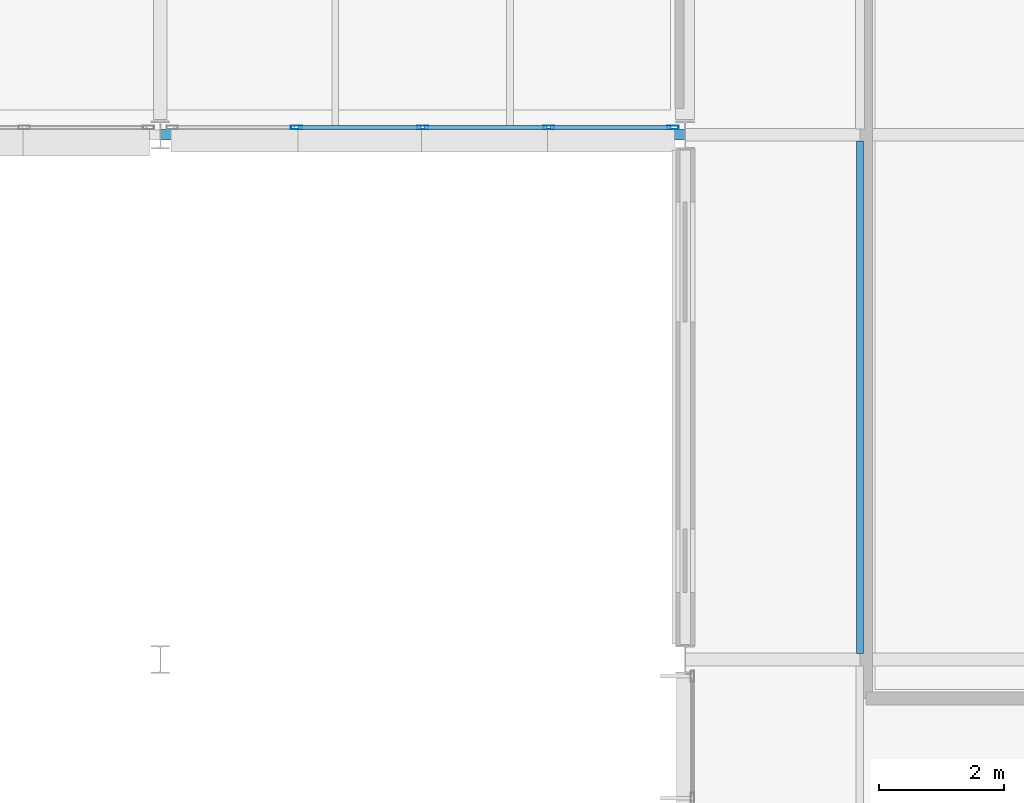
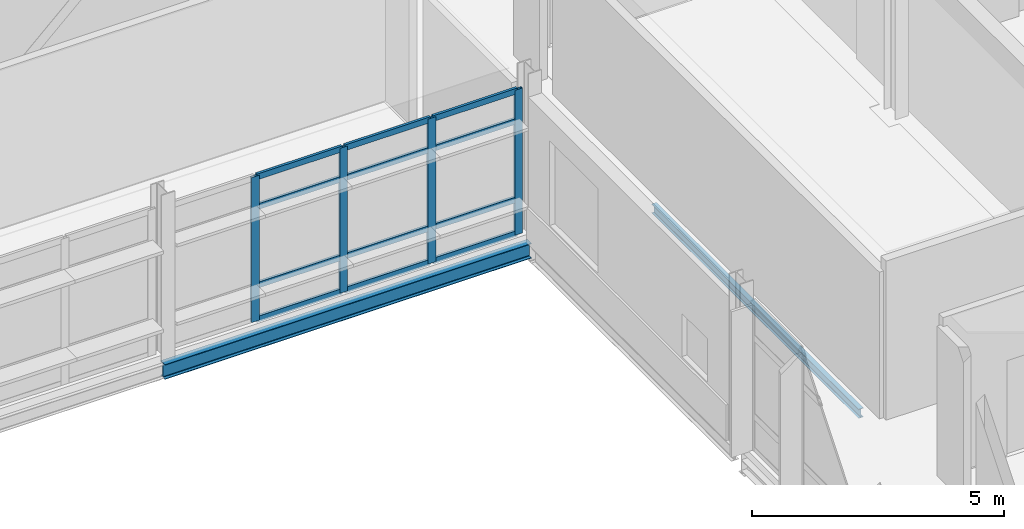
# One storey, part 70 of 103: 16 members, 2 beams, 1 element without a shape of its own.
"""IFC4 building model written with IfcOpenShell, lengths in metres."""

from ifc_helpers import new_model, si_unit, direction, frame, origin, origin_2d, place, context, subcontext, project, spatial, hollow_rectangle, i_section, extrude, material, material_profile, profile_set, type_object, element, aggregate, save


model = new_model("IFC4")

# Units and contexts
model_context = context("Model", 3, precision=1e-05, world=origin(), true_north=direction((0.0, 1.0)))
body_context = subcontext(model_context, "Body", "Model", "MODEL_VIEW")
ifc_project = project(units=[si_unit("LENGTHUNIT", "METRE"), si_unit("AREAUNIT", "SQUARE_METRE"), si_unit("VOLUMEUNIT", "CUBIC_METRE"), si_unit("PLANEANGLEUNIT", "RADIAN"), si_unit("MASSUNIT", "GRAM", prefix="KILO")], contexts=[model_context])

# Site, building, storey
site_placement = place(None, origin())
site = spatial("IfcSite", under=ifc_project, at=site_placement, CompositionType="ELEMENT")
building_placement = place(site_placement, origin())
building = spatial("IfcBuilding", under=site, at=building_placement, Name="Mersafa Astral City Hall", CompositionType="ELEMENT")
storey_placement = place(building_placement, frame((0.0, 0.0, 18.0)))
storey = spatial("IfcBuildingStorey", under=building, at=storey_placement, Name="L04", CompositionType="ELEMENT", Elevation=18.0)

# Curtain wall, members
ifc_material_1 = material(Name="Anodised bronze aluminium framing", Category="aluminium")
curtain_wall_type = type_object("IfcCurtainWallType", Name="ENV-CW-4", PredefinedType="USERDEFINED", material=ifc_material_1)
curtain_wall_placement = place(storey_placement, origin())
curtain_wall = element("IfcCurtainWall", 1, at=curtain_wall_placement, inside=storey, type_object=curtain_wall_type, Name="L04 Unitised solar curtain wall 219", ObjectType="UNITISED CURTAIN WALL", PredefinedType="USERDEFINED")
ifc_material_profile_1 = material_profile(ifc_material_1, hollow_rectangle(XDim=0.06005859375, YDim=0.179931640625, WallThickness=0.00390625, at=origin_2d()), Name="RHS 60x180x4")
ifc_profile_set_1 = profile_set([ifc_material_profile_1], Name="Anodised bronze aluminium framing")
member_type_1 = type_object("IfcMemberType", Name="ENV-CW-MUL-1", PredefinedType="MULLION", material=ifc_profile_set_1)
member_1_placement = place(storey_placement, frame((136.5810546875, 117.719970703125, -0.001953125), z_axis=(0.0, 0.0, 1.0), x_axis=(0.0, 1.0, 0.0)))
member_1 = element("IfcMember", 2, at=member_1_placement, type_object=member_type_1, Name="CW-4 mullion 2", PredefinedType="MULLION", context=body_context, shape_type="SweptSolid", body=[
    extrude(hollow_rectangle(XDim=0.06005859375, YDim=0.179931640625, WallThickness=0.00390625, at=origin_2d()), origin(), (0.0, 0.0, 1.0), 3.509033203125),
])
member_2_placement = place(storey_placement, frame((138.60009765625, 117.719970703125, -0.001953125), z_axis=(0.0, 0.0, 1.0), x_axis=(0.0, 1.0, 0.0)))
member_2 = element("IfcMember", 3, at=member_2_placement, type_object=member_type_1, Name="CW-4 mullion 3", PredefinedType="MULLION", context=body_context, shape_type="SweptSolid", body=[
    extrude(hollow_rectangle(XDim=0.06005859375, YDim=0.179931640625, WallThickness=0.00390625, at=origin_2d()), origin(), (0.0, 0.0, 1.0), 3.509033203125),
])
member_3_placement = place(storey_placement, frame((140.618896484375, 117.719970703125, -0.001953125), z_axis=(0.0, 0.0, 1.0), x_axis=(0.0, 1.0, 0.0)))
member_3 = element("IfcMember", 4, at=member_3_placement, type_object=member_type_1, Name="CW-4 mullion 4", PredefinedType="MULLION", context=body_context, shape_type="SweptSolid", body=[
    extrude(hollow_rectangle(XDim=0.06005859375, YDim=0.179931640625, WallThickness=0.00390625, at=origin_2d()), origin(), (0.0, 0.0, 1.0), 3.509033203125),
])
member_4_placement = place(storey_placement, frame((142.60791015625, 117.719970703125, -0.001953125), z_axis=(0.0, 0.0, 1.0), x_axis=(0.0, 1.0, 0.0)))
member_4 = element("IfcMember", 5, at=member_4_placement, type_object=member_type_1, Name="CW-4 mullion 5", PredefinedType="MULLION", context=body_context, shape_type="SweptSolid", body=[
    extrude(hollow_rectangle(XDim=0.06005859375, YDim=0.179931640625, WallThickness=0.00390625, at=origin_2d()), origin(), (0.0, 0.0, 1.0), 3.509033203125),
])
ifc_material_profile_2 = material_profile(ifc_material_1, hollow_rectangle(XDim=0.06005859375, YDim=0.139892578125, WallThickness=0.00390625, at=origin_2d()), Name="RHS 60x140x4")
ifc_profile_set_2 = profile_set([ifc_material_profile_2], Name="Anodised bronze aluminium framing")
member_type_2 = type_object("IfcMemberType", Name="ENV-CW-TRN-1", PredefinedType="USERDEFINED", material=ifc_profile_set_2)
member_5_placement = place(storey_placement, frame((136.611083984375, 117.719970703125, 0.028076171875), z_axis=(1.0, 0.0, 0.0), x_axis=(0.0, 1.0, 0.0)))
member_5 = element("IfcMember", 6, at=member_5_placement, type_object=member_type_2, Name="CW-4 transom 2.1", ObjectType="TRANSOM", PredefinedType="USERDEFINED", context=body_context, shape_type="SweptSolid", body=[
    extrude(hollow_rectangle(XDim=0.06005859375, YDim=0.139892578125, WallThickness=0.00390625, at=origin_2d()), origin(), (0.0, 0.0, 1.0), 1.958984375),
])
member_6_placement = place(storey_placement, frame((136.611083984375, 117.719970703125, 0.85009765625), z_axis=(1.0, 0.0, 0.0), x_axis=(0.0, 1.0, 0.0)))
member_6 = element("IfcMember", 7, at=member_6_placement, type_object=member_type_2, Name="CW-4 transom 2.2", ObjectType="TRANSOM", PredefinedType="USERDEFINED", context=body_context, shape_type="SweptSolid", body=[
    extrude(hollow_rectangle(XDim=0.06005859375, YDim=0.139892578125, WallThickness=0.00390625, at=origin_2d()), origin(), (0.0, 0.0, 1.0), 1.958984375),
])
member_7_placement = place(storey_placement, frame((136.611083984375, 117.719970703125, 2.75), z_axis=(1.0, 0.0, 0.0), x_axis=(0.0, 1.0, 0.0)))
member_7 = element("IfcMember", 8, at=member_7_placement, type_object=member_type_2, Name="CW-4 transom 2.3", ObjectType="TRANSOM", PredefinedType="USERDEFINED", context=body_context, shape_type="SweptSolid", body=[
    extrude(hollow_rectangle(XDim=0.06005859375, YDim=0.139892578125, WallThickness=0.00390625, at=origin_2d()), origin(), (0.0, 0.0, 1.0), 1.958984375),
])
member_8_placement = place(storey_placement, frame((136.611083984375, 117.719970703125, 3.47705078125), z_axis=(1.0, 0.0, 0.0), x_axis=(0.0, 1.0, 0.0)))
member_8 = element("IfcMember", 9, at=member_8_placement, type_object=member_type_2, Name="CW-4 transom 2.4", ObjectType="TRANSOM", PredefinedType="USERDEFINED", context=body_context, shape_type="SweptSolid", body=[
    extrude(hollow_rectangle(XDim=0.06005859375, YDim=0.139892578125, WallThickness=0.00390625, at=origin_2d()), origin(), (0.0, 0.0, 1.0), 1.958984375),
])
member_9_placement = place(storey_placement, frame((138.6298828125, 117.719970703125, 0.028076171875), z_axis=(1.0, 0.0, 0.0), x_axis=(0.0, 1.0, 0.0)))
member_9 = element("IfcMember", 10, at=member_9_placement, type_object=member_type_2, Name="CW-4 transom 3.1", ObjectType="TRANSOM", PredefinedType="USERDEFINED", context=body_context, shape_type="SweptSolid", body=[
    extrude(hollow_rectangle(XDim=0.06005859375, YDim=0.139892578125, WallThickness=0.00390625, at=origin_2d()), origin(), (0.0, 0.0, 1.0), 1.959228515625),
])
member_10_placement = place(storey_placement, frame((138.6298828125, 117.719970703125, 0.85009765625), z_axis=(1.0, 0.0, 0.0), x_axis=(0.0, 1.0, 0.0)))
member_10 = element("IfcMember", 11, at=member_10_placement, type_object=member_type_2, Name="CW-4 transom 3.2", ObjectType="TRANSOM", PredefinedType="USERDEFINED", context=body_context, shape_type="SweptSolid", body=[
    extrude(hollow_rectangle(XDim=0.06005859375, YDim=0.139892578125, WallThickness=0.00390625, at=origin_2d()), origin(), (0.0, 0.0, 1.0), 1.959228515625),
])
member_11_placement = place(storey_placement, frame((138.6298828125, 117.719970703125, 2.75), z_axis=(1.0, 0.0, 0.0), x_axis=(0.0, 1.0, 0.0)))
member_11 = element("IfcMember", 12, at=member_11_placement, type_object=member_type_2, Name="CW-4 transom 3.3", ObjectType="TRANSOM", PredefinedType="USERDEFINED", context=body_context, shape_type="SweptSolid", body=[
    extrude(hollow_rectangle(XDim=0.06005859375, YDim=0.139892578125, WallThickness=0.00390625, at=origin_2d()), origin(), (0.0, 0.0, 1.0), 1.959228515625),
])
member_12_placement = place(storey_placement, frame((138.6298828125, 117.719970703125, 3.47705078125), z_axis=(1.0, 0.0, 0.0), x_axis=(0.0, 1.0, 0.0)))
member_12 = element("IfcMember", 13, at=member_12_placement, type_object=member_type_2, Name="CW-4 transom 3.4", ObjectType="TRANSOM", PredefinedType="USERDEFINED", context=body_context, shape_type="SweptSolid", body=[
    extrude(hollow_rectangle(XDim=0.06005859375, YDim=0.139892578125, WallThickness=0.00390625, at=origin_2d()), origin(), (0.0, 0.0, 1.0), 1.959228515625),
])
member_13_placement = place(storey_placement, frame((140.64892578125, 117.719970703125, 0.028076171875), z_axis=(1.0, 0.0, 0.0), x_axis=(0.0, 1.0, 0.0)))
member_13 = element("IfcMember", 14, at=member_13_placement, type_object=member_type_2, Name="CW-4 transom 4.1", ObjectType="TRANSOM", PredefinedType="USERDEFINED", context=body_context, shape_type="SweptSolid", body=[
    extrude(hollow_rectangle(XDim=0.06005859375, YDim=0.139892578125, WallThickness=0.00390625, at=origin_2d()), origin(), (0.0, 0.0, 1.0), 1.928955078125),
])
member_14_placement = place(storey_placement, frame((140.64892578125, 117.719970703125, 0.85009765625), z_axis=(1.0, 0.0, 0.0), x_axis=(0.0, 1.0, 0.0)))
member_14 = element("IfcMember", 15, at=member_14_placement, type_object=member_type_2, Name="CW-4 transom 4.2", ObjectType="TRANSOM", PredefinedType="USERDEFINED", context=body_context, shape_type="SweptSolid", body=[
    extrude(hollow_rectangle(XDim=0.06005859375, YDim=0.139892578125, WallThickness=0.00390625, at=origin_2d()), origin(), (0.0, 0.0, 1.0), 1.928955078125),
])
member_15_placement = place(storey_placement, frame((140.64892578125, 117.719970703125, 2.75), z_axis=(1.0, 0.0, 0.0), x_axis=(0.0, 1.0, 0.0)))
member_15 = element("IfcMember", 16, at=member_15_placement, type_object=member_type_2, Name="CW-4 transom 4.3", ObjectType="TRANSOM", PredefinedType="USERDEFINED", context=body_context, shape_type="SweptSolid", body=[
    extrude(hollow_rectangle(XDim=0.06005859375, YDim=0.139892578125, WallThickness=0.00390625, at=origin_2d()), origin(), (0.0, 0.0, 1.0), 1.928955078125),
])
member_16_placement = place(storey_placement, frame((140.64892578125, 117.719970703125, 3.47705078125), z_axis=(1.0, 0.0, 0.0), x_axis=(0.0, 1.0, 0.0)))
member_16 = element("IfcMember", 17, at=member_16_placement, type_object=member_type_2, Name="CW-4 transom 4.4", ObjectType="TRANSOM", PredefinedType="USERDEFINED", context=body_context, shape_type="SweptSolid", body=[
    extrude(hollow_rectangle(XDim=0.06005859375, YDim=0.139892578125, WallThickness=0.00390625, at=origin_2d()), origin(), (0.0, 0.0, 1.0), 1.928955078125),
])
aggregate(curtain_wall, [member_1, member_2, member_3, member_4, member_5, member_6, member_7, member_8, member_9, member_10, member_11, member_12, member_13, member_14, member_15, member_16])

# Beams
ifc_material_2 = material(Name="Steel S355", Category="steel")
ifc_material_profile_3 = material_profile(ifc_material_2, i_section(OverallWidth=0.110107421875, OverallDepth=0.219970703125, WebThickness=0.005859375, FlangeThickness=0.00927734375, FilletRadius=0.011962890625, at=origin_2d()), Name="IPE 220")
ifc_profile_set_3 = profile_set([ifc_material_profile_3], Name="Steel S355")
beam_type_1 = type_object("IfcBeamType", Name="STR-BM-JOIST-IPE220", PredefinedType="JOIST", material=ifc_profile_set_3)
beam_1_placement = place(storey_placement, frame((145.60009765625, 109.300048828125, -0.294921875), z_axis=(0.0, 1.0, 0.0), x_axis=(-1.0, 0.0, 0.0)))
element("IfcBeam", 18, at=beam_1_placement, inside=storey, type_object=beam_type_1, Name="L04 Composite secondary floor joist 754", PredefinedType="JOIST", context=body_context, shape_type="SweptSolid", body=[
    extrude(i_section(OverallWidth=0.110107421875, OverallDepth=0.219970703125, WebThickness=0.005859375, FlangeThickness=0.00927734375, FilletRadius=0.011962890625, at=origin_2d()), origin(), (0.0, 0.0, 1.0), 8.204833984375),
])
ifc_material_profile_4 = material_profile(ifc_material_2, i_section(OverallWidth=0.169921875, OverallDepth=0.360107421875, WebThickness=0.008056640625, FlangeThickness=0.0126953125, FilletRadius=0.01806640625, at=origin_2d()), Name="IPE 360")
ifc_profile_set_4 = profile_set([ifc_material_profile_4], Name="Steel S355")
beam_type_2 = type_object("IfcBeamType", Name="STR-BM-SPANDREL-IPE360", PredefinedType="SPANDREL", material=ifc_profile_set_4)
beam_2_placement = place(storey_placement, frame((134.403076171875, 117.60009765625, -0.364990234375), z_axis=(1.0, 0.0, 0.0), x_axis=(0.0, 1.0, 0.0)))
element("IfcBeam", 19, at=beam_2_placement, inside=storey, type_object=beam_type_2, Name="L04 Primary girder X 16-14", PredefinedType="SPANDREL", context=body_context, shape_type="SweptSolid", body=[
    extrude(i_section(OverallWidth=0.169921875, OverallDepth=0.360107421875, WebThickness=0.008056640625, FlangeThickness=0.0126953125, FilletRadius=0.01806640625, at=origin_2d()), origin(), (0.0, 0.0, 1.0), 8.39404296875),
])

save(model, "model.ifc")
